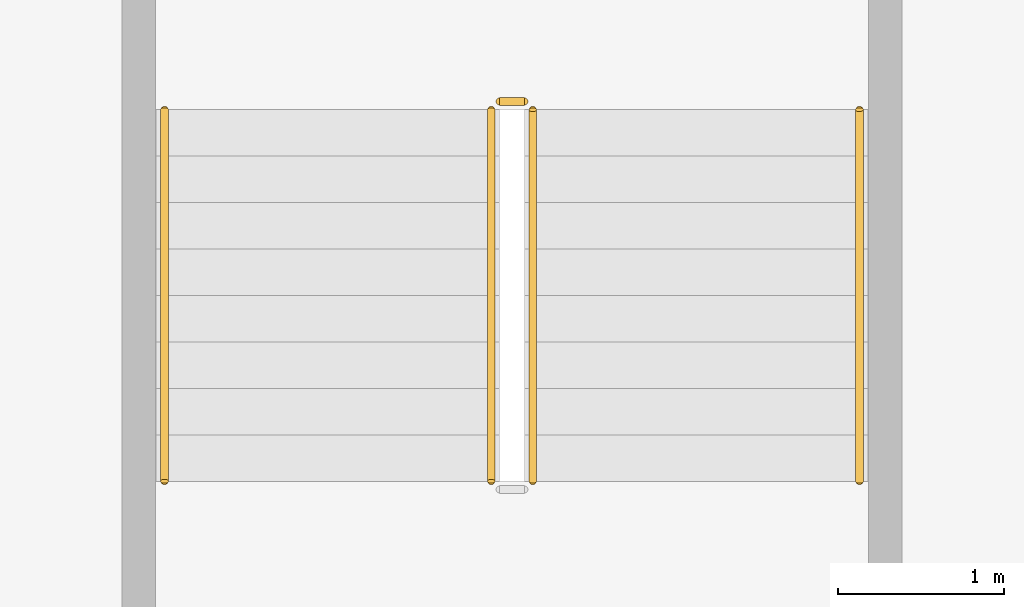
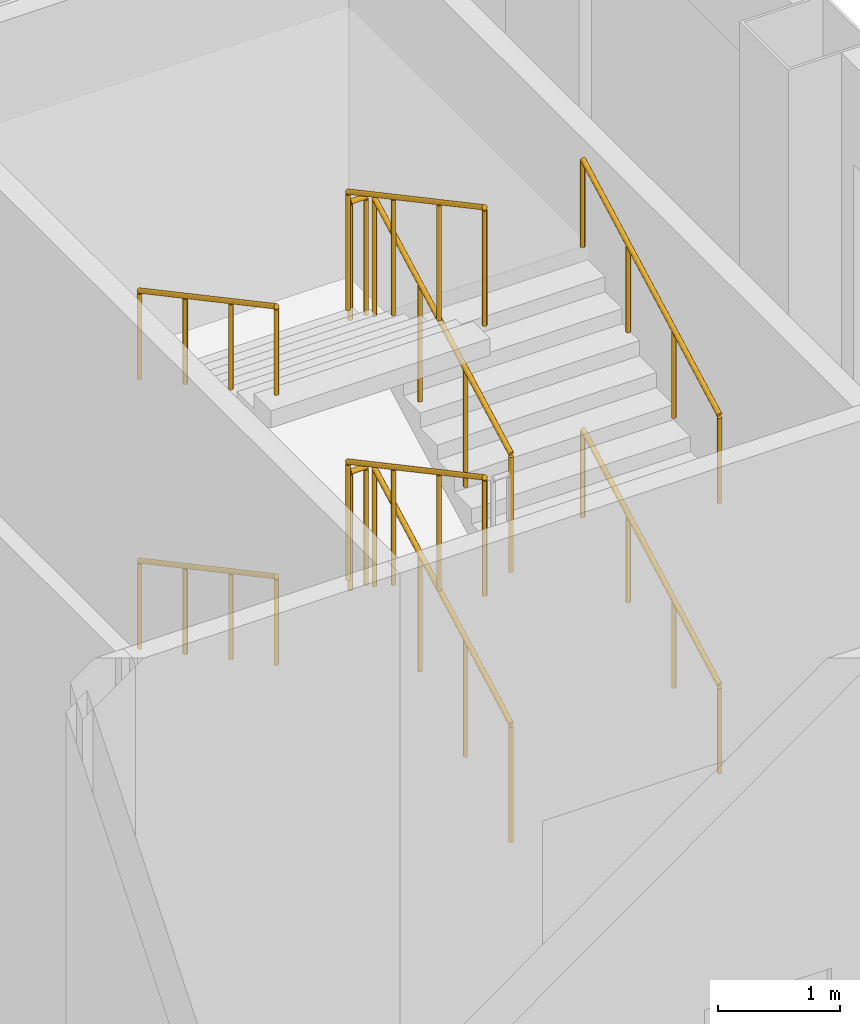
# One storey, part 26 of 26: 10 railings.
"""IFC4 building model written with IfcOpenShell, lengths in metres."""

from ifc_helpers import new_model, si_unit, direction, frame, origin, origin_2d, place, context, subcontext, project, spatial, circle, extrude, material, type_object, element, save


model = new_model("IFC4")

# Units and contexts
model_context = context("Model", 3, precision=1e-05, world=origin(), true_north=direction((0.0, 1.0)))
body_context = subcontext(model_context, "Body", "Model", "MODEL_VIEW")
ifc_project = project(units=[si_unit("LENGTHUNIT", "METRE"), si_unit("AREAUNIT", "SQUARE_METRE"), si_unit("VOLUMEUNIT", "CUBIC_METRE"), si_unit("PLANEANGLEUNIT", "RADIAN"), si_unit("MASSUNIT", "GRAM", prefix="KILO")], contexts=[model_context])

# Site, building, storey
site_placement = place(None, origin())
site = spatial("IfcSite", under=ifc_project, at=site_placement, CompositionType="ELEMENT")
building_placement = place(site_placement, origin())
building = spatial("IfcBuilding", under=site, at=building_placement, Name="Caravel Reach Hotel and Residences", CompositionType="ELEMENT")
storey_placement = place(building_placement, frame((0.0, 0.0, 12.0)))
storey = spatial("IfcBuildingStorey", under=building, at=storey_placement, Name="L02", CompositionType="ELEMENT", Elevation=12.0)

# Railings
ifc_material_1 = material(Name="Steel balustrade with glass infill", Category="steel")
railing_type_1 = type_object("IfcRailingType", Name="Guard 1200", PredefinedType="GUARDRAIL", material=ifc_material_1)
railing_1_placement = place(storey_placement, frame((63.375, 42.68994140625, 0.14990234375)))
element("IfcRailing", 1, at=railing_1_placement, inside=storey, type_object=railing_type_1, Name="L02 ST-P6 stair guard 1", PredefinedType="GUARDRAIL", context=body_context, shape_type="SweptSolid", body=[
    extrude(circle(Radius=0.02392578125, at=origin_2d()), frame((0.0, 0.0, 1.17578125), z_axis=(0.0, 0.881447119201, 0.472282728937), x_axis=(-1.0, 0.0, 0.0)), (0.0, 0.0, 1.0), 2.541259765625),
    extrude(circle(Radius=0.02099609375, at=origin_2d()), origin(), (0.0, 0.0, 1.0), 1.15185546875),
    extrude(circle(Radius=0.02099609375, at=origin_2d()), frame((0.0, 0.74658203125, 0.400146484375)), (0.0, 0.0, 1.0), 1.15185546875),
    extrude(circle(Radius=0.02099609375, at=origin_2d()), frame((0.0, 1.493408203125, 0.800048828125)), (0.0, 0.0, 1.0), 1.15185546875),
    extrude(circle(Radius=0.02099609375, at=origin_2d()), frame((0.0, 2.239990234375, 1.2001953125)), (0.0, 0.0, 1.0), 1.15185546875),
])
railing_2_placement = place(storey_placement, frame((63.324951171875, 44.97998046875, 1.35009765625)))
element("IfcRailing", 2, at=railing_2_placement, inside=storey, type_object=railing_type_1, Name="L02 ST-P6 stair guard 2", PredefinedType="GUARDRAIL", context=body_context, shape_type="SweptSolid", body=[
    extrude(circle(Radius=0.02392578125, at=origin_2d()), frame((0.0, 0.0, 1.17578125), z_axis=(-1.0, 0.0, 0.0), x_axis=(0.0, -1.0, 0.0)), (0.0, 0.0, 1.0), 0.14990234375),
    extrude(circle(Radius=0.02099609375, at=origin_2d()), origin(), (0.0, 0.0, 1.0), 1.15185546875),
    extrude(circle(Radius=0.02099609375, at=origin_2d()), frame((-0.14990234375, 0.0, 0.0)), (0.0, 0.0, 1.0), 1.15185546875),
])
railing_3_placement = place(storey_placement, frame((63.125, 44.929931640625, 1.5)))
element("IfcRailing", 3, at=railing_3_placement, inside=storey, type_object=railing_type_1, Name="L02 ST-P6 stair guard 3", PredefinedType="GUARDRAIL", context=body_context, shape_type="SweptSolid", body=[
    extrude(circle(Radius=0.02392578125, at=origin_2d()), frame((0.0, 0.0, 1.17578125), z_axis=(0.0, -0.881487111273, 0.472208081951), x_axis=(1.0, 0.0, 0.0)), (0.0, 0.0, 1.0), 2.541259765625),
    extrude(circle(Radius=0.02099609375, at=origin_2d()), origin(), (0.0, 0.0, 1.0), 1.15185546875),
    extrude(circle(Radius=0.02099609375, at=origin_2d()), frame((0.0, -0.74658203125, 0.39990234375)), (0.0, 0.0, 1.0), 1.15185546875),
    extrude(circle(Radius=0.02099609375, at=origin_2d()), frame((0.0, -1.493408203125, 0.800048828125)), (0.0, 0.0, 1.0), 1.15185546875),
    extrude(circle(Radius=0.02099609375, at=origin_2d()), frame((0.0, -2.239990234375, 1.199951171875)), (0.0, 0.0, 1.0), 1.15185546875),
])
railing_4_placement = place(storey_placement, frame((63.375, 42.68994140625, 2.85009765625)))
element("IfcRailing", 4, at=railing_4_placement, inside=storey, type_object=railing_type_1, Name="L02 ST-P6 stair guard 5", PredefinedType="GUARDRAIL", context=body_context, shape_type="SweptSolid", body=[
    extrude(circle(Radius=0.02392578125, at=origin_2d()), frame((0.0, 0.0, 1.17578125), z_axis=(0.0, 0.881487111273, 0.472208081951), x_axis=(-1.0, 0.0, 0.0)), (0.0, 0.0, 1.0), 2.541259765625),
    extrude(circle(Radius=0.02099609375, at=origin_2d()), origin(), (0.0, 0.0, 1.0), 1.15185546875),
    extrude(circle(Radius=0.02099609375, at=origin_2d()), frame((0.0, 0.74658203125, 0.39990234375)), (0.0, 0.0, 1.0), 1.15185546875),
    extrude(circle(Radius=0.02099609375, at=origin_2d()), frame((0.0, 1.493408203125, 0.800048828125)), (0.0, 0.0, 1.0), 1.15185546875),
    extrude(circle(Radius=0.02099609375, at=origin_2d()), frame((0.0, 2.239990234375, 1.199951171875)), (0.0, 0.0, 1.0), 1.15185546875),
])
railing_5_placement = place(storey_placement, frame((63.324951171875, 44.97998046875, 4.050048828125)))
element("IfcRailing", 5, at=railing_5_placement, inside=storey, type_object=railing_type_1, Name="L02 ST-P6 stair guard 6", PredefinedType="GUARDRAIL", context=body_context, shape_type="SweptSolid", body=[
    extrude(circle(Radius=0.02392578125, at=origin_2d()), frame((0.0, 0.0, 1.17578125), z_axis=(-1.0, 0.0, 0.0), x_axis=(0.0, -1.0, 0.0)), (0.0, 0.0, 1.0), 0.14990234375),
    extrude(circle(Radius=0.02099609375, at=origin_2d()), origin(), (0.0, 0.0, 1.0), 1.15185546875),
    extrude(circle(Radius=0.02099609375, at=origin_2d()), frame((-0.14990234375, 0.0, 0.0)), (0.0, 0.0, 1.0), 1.15185546875),
])
railing_6_placement = place(storey_placement, frame((63.125, 44.929931640625, 4.199951171875)))
element("IfcRailing", 6, at=railing_6_placement, inside=storey, type_object=railing_type_1, Name="L02 ST-P6 stair guard 7", PredefinedType="GUARDRAIL", context=body_context, shape_type="SweptSolid", body=[
    extrude(circle(Radius=0.02392578125, at=origin_2d()), frame((0.0, 0.0, 1.17578125), z_axis=(0.0, -0.881487111273, 0.472208081951), x_axis=(1.0, 0.0, 0.0)), (0.0, 0.0, 1.0), 2.541259765625),
    extrude(circle(Radius=0.02099609375, at=origin_2d()), origin(), (0.0, 0.0, 1.0), 1.15185546875),
    extrude(circle(Radius=0.02099609375, at=origin_2d()), frame((0.0, -0.74658203125, 0.39990234375)), (0.0, 0.0, 1.0), 1.15185546875),
    extrude(circle(Radius=0.02099609375, at=origin_2d()), frame((0.0, -1.493408203125, 0.800048828125)), (0.0, 0.0, 1.0), 1.15185546875),
    extrude(circle(Radius=0.02099609375, at=origin_2d()), frame((0.0, -2.239990234375, 1.199951171875)), (0.0, 0.0, 1.0), 1.15185546875),
])
ifc_material_2 = material(Name="Stainless steel handrail", Category="steel")
railing_type_2 = type_object("IfcRailingType", Name="Handrail 900", PredefinedType="HANDRAIL", material=ifc_material_2)
railing_7_placement = place(storey_placement, frame((65.344970703125, 42.68994140625, 0.14990234375)))
element("IfcRailing", 7, at=railing_7_placement, inside=storey, type_object=railing_type_2, Name="L02 ST-P6 stair handrail 1", PredefinedType="HANDRAIL", context=body_context, shape_type="SweptSolid", body=[
    extrude(circle(Radius=0.02392578125, at=origin_2d()), frame((0.0, 0.0, 0.8759765625), z_axis=(0.0, 0.881447119201, 0.472282728937), x_axis=(-1.0, 0.0, 0.0)), (0.0, 0.0, 1.0), 2.541259765625),
    extrude(circle(Radius=0.02099609375, at=origin_2d()), origin(), (0.0, 0.0, 1.0), 0.851806640625),
    extrude(circle(Radius=0.02099609375, at=origin_2d()), frame((0.0, 0.74658203125, 0.400146484375)), (0.0, 0.0, 1.0), 0.851806640625),
    extrude(circle(Radius=0.02099609375, at=origin_2d()), frame((0.0, 1.493408203125, 0.800048828125)), (0.0, 0.0, 1.0), 0.851806640625),
    extrude(circle(Radius=0.02099609375, at=origin_2d()), frame((0.0, 2.239990234375, 1.2001953125)), (0.0, 0.0, 1.0), 0.851806640625),
])
railing_8_placement = place(storey_placement, frame((61.155029296875, 44.929931640625, 1.5)))
element("IfcRailing", 8, at=railing_8_placement, inside=storey, type_object=railing_type_2, Name="L02 ST-P6 stair handrail 2", PredefinedType="HANDRAIL", context=body_context, shape_type="SweptSolid", body=[
    extrude(circle(Radius=0.02392578125, at=origin_2d()), frame((0.0, 0.0, 0.8759765625), z_axis=(0.0, -0.881487111273, 0.472208081951), x_axis=(1.0, 0.0, 0.0)), (0.0, 0.0, 1.0), 2.541259765625),
    extrude(circle(Radius=0.02099609375, at=origin_2d()), origin(), (0.0, 0.0, 1.0), 0.851806640625),
    extrude(circle(Radius=0.02099609375, at=origin_2d()), frame((0.0, -0.74658203125, 0.39990234375)), (0.0, 0.0, 1.0), 0.851806640625),
    extrude(circle(Radius=0.02099609375, at=origin_2d()), frame((0.0, -1.493408203125, 0.800048828125)), (0.0, 0.0, 1.0), 0.851806640625),
    extrude(circle(Radius=0.02099609375, at=origin_2d()), frame((0.0, -2.239990234375, 1.199951171875)), (0.0, 0.0, 1.0), 0.851806640625),
])
railing_9_placement = place(storey_placement, frame((65.344970703125, 42.68994140625, 2.85009765625)))
element("IfcRailing", 9, at=railing_9_placement, inside=storey, type_object=railing_type_2, Name="L02 ST-P6 stair handrail 3", PredefinedType="HANDRAIL", context=body_context, shape_type="SweptSolid", body=[
    extrude(circle(Radius=0.02392578125, at=origin_2d()), frame((0.0, 0.0, 0.8759765625), z_axis=(0.0, 0.881487111273, 0.472208081951), x_axis=(-1.0, 0.0, 0.0)), (0.0, 0.0, 1.0), 2.541259765625),
    extrude(circle(Radius=0.02099609375, at=origin_2d()), origin(), (0.0, 0.0, 1.0), 0.851806640625),
    extrude(circle(Radius=0.02099609375, at=origin_2d()), frame((0.0, 0.74658203125, 0.39990234375)), (0.0, 0.0, 1.0), 0.851806640625),
    extrude(circle(Radius=0.02099609375, at=origin_2d()), frame((0.0, 1.493408203125, 0.800048828125)), (0.0, 0.0, 1.0), 0.851806640625),
    extrude(circle(Radius=0.02099609375, at=origin_2d()), frame((0.0, 2.239990234375, 1.199951171875)), (0.0, 0.0, 1.0), 0.851806640625),
])
railing_10_placement = place(storey_placement, frame((61.155029296875, 44.929931640625, 4.199951171875)))
element("IfcRailing", 10, at=railing_10_placement, inside=storey, type_object=railing_type_2, Name="L02 ST-P6 stair handrail 4", PredefinedType="HANDRAIL", context=body_context, shape_type="SweptSolid", body=[
    extrude(circle(Radius=0.02392578125, at=origin_2d()), frame((0.0, 0.0, 0.8759765625), z_axis=(0.0, -0.881487111273, 0.472208081951), x_axis=(1.0, 0.0, 0.0)), (0.0, 0.0, 1.0), 2.541259765625),
    extrude(circle(Radius=0.02099609375, at=origin_2d()), origin(), (0.0, 0.0, 1.0), 0.851806640625),
    extrude(circle(Radius=0.02099609375, at=origin_2d()), frame((0.0, -0.74658203125, 0.39990234375)), (0.0, 0.0, 1.0), 0.851806640625),
    extrude(circle(Radius=0.02099609375, at=origin_2d()), frame((0.0, -1.493408203125, 0.800048828125)), (0.0, 0.0, 1.0), 0.851806640625),
    extrude(circle(Radius=0.02099609375, at=origin_2d()), frame((0.0, -2.239990234375, 1.199951171875)), (0.0, 0.0, 1.0), 0.851806640625),
])

save(model, "model.ifc")
